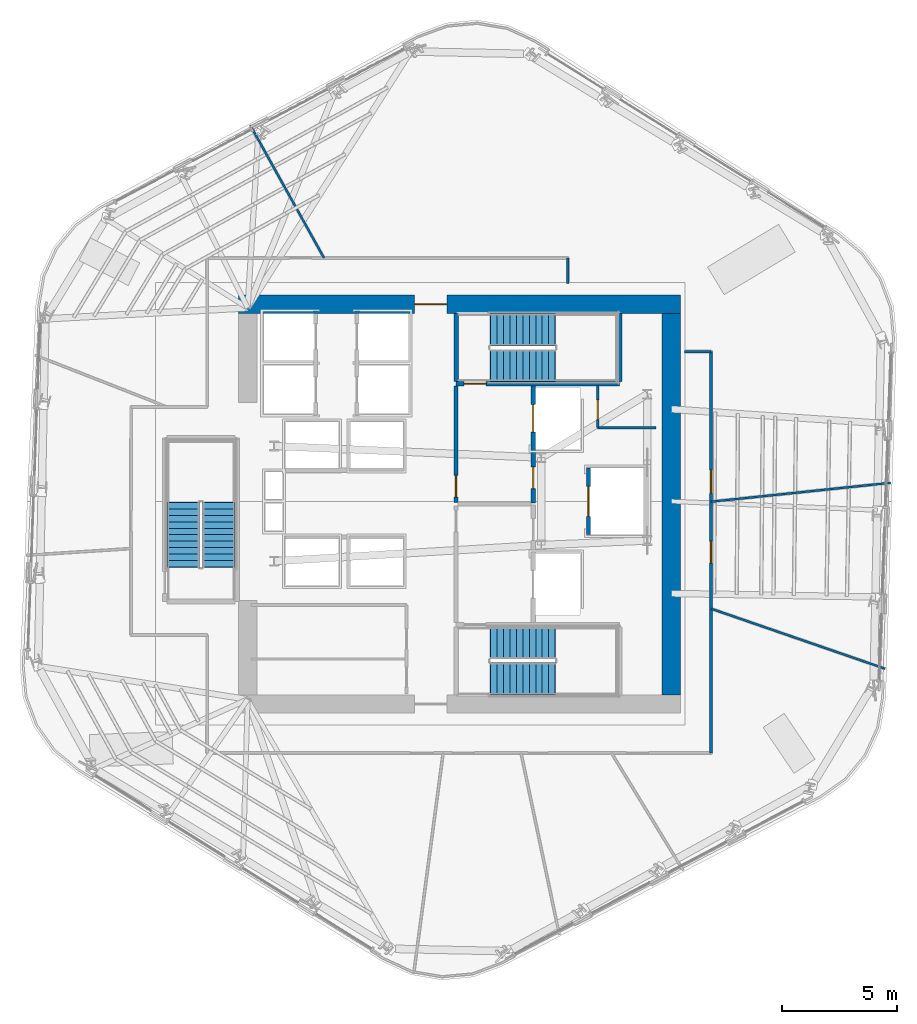
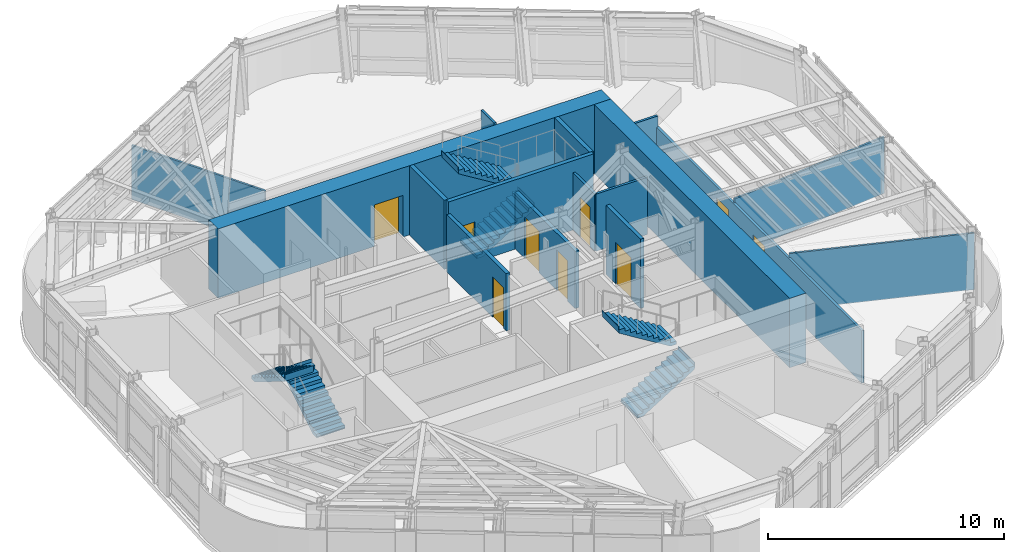
# One storey, part 8 of 14: 16 walls, 9 doors, 6 stair flights, 9 openings, 3 elements without a shape of their own.
"""IFC4 building model written with IfcOpenShell, lengths in metres."""

from ifc_helpers import new_model, si_unit, direction, frame, frame_2d, origin, place, context, subcontext, project, spatial, polyline, rectangle, outline, extrude, material, layer, layer_set, type_object, element, fill, aggregate, save


model = new_model("IFC4")

# Units and contexts
model_context = context("Model", 3, precision=1e-05, world=origin(), true_north=direction((0.0, 1.0)))
body_context = subcontext(model_context, "Body", "Model", "MODEL_VIEW")
ifc_project = project(units=[si_unit("LENGTHUNIT", "METRE"), si_unit("AREAUNIT", "SQUARE_METRE"), si_unit("VOLUMEUNIT", "CUBIC_METRE"), si_unit("PLANEANGLEUNIT", "RADIAN"), si_unit("MASSUNIT", "GRAM", prefix="KILO")], contexts=[model_context])

# Site, building, storey
site_placement = place(None, origin())
site = spatial("IfcSite", under=ifc_project, at=site_placement, CompositionType="ELEMENT")
building_placement = place(site_placement, origin())
building = spatial("IfcBuilding", under=site, at=building_placement, Name="Valkerne Bourse Tower", CompositionType="ELEMENT")
storey_placement = place(building_placement, frame((0.0, 0.0, 143.800048828125)))
storey = spatial("IfcBuildingStorey", under=building, at=storey_placement, Name="L36", CompositionType="ELEMENT", Elevation=143.800048828125)

# Wall, opening, door
ifc_material_1 = material(Name="Concrete C55/67", Category="concrete")
ifc_layer_1 = layer(ifc_material_1, 0.800048828125)
ifc_layer_set_1 = layer_set([ifc_layer_1], Name="Concrete C55/67")
wall_type_1 = type_object("IfcWallType", Name="W-CORE-800", PredefinedType="SHEAR", material=ifc_layer_set_1)
wall_1_placement = place(storey_placement, frame((37.199951171875, 35.550048828125, 0.0), z_axis=(0.0, 0.0, 1.0), x_axis=(1.0, 0.0, 0.0)))
wall_1 = element("IfcWall", 1, at=wall_1_placement, inside=storey, type_object=wall_type_1, Name="L36 Core Shear Wall NORTH", PredefinedType="SHEAR", context=body_context, shape_type="SweptSolid", body=[
    extrude(rectangle(XDim=19.199951171875, YDim=0.800048828125, at=frame_2d((9.60009765625, 0.0))), origin(), (0.0, 0.0, 1.0), 3.579833984375),
])
opening_1_placement = place(wall_1_placement, frame((7.64990234375, 0.0, 0.0)))
opening_1 = element("IfcOpeningElement", 2, at=opening_1_placement, cuts=wall_1, Name="Opening D-PL-1400", PredefinedType="OPENING", context=body_context, shape_type="SweptSolid", body=[
    extrude(rectangle(XDim=1.39990234375, YDim=2.14990234375, at=frame_2d((0.699951171875, 1.074951171875))), frame((0.0, 0.409912109375, 0.0), z_axis=(0.0, -1.0, 0.0), x_axis=(1.0, 0.0, 0.0)), (0.0, 0.0, 1.0), 0.820068359375),
])
ifc_material_2 = material(Name="Galvanised Painted Steel", Category="steel")
door_type_1 = type_object("IfcDoorType", Name="DR-PLT-1400", OperationType="DOUBLE_DOOR_SINGLE_SWING", PredefinedType="DOOR", material=ifc_material_2)
door_1_placement = place(opening_1_placement, origin())
door_1 = element("IfcDoor", 3, at=door_1_placement, inside=storey, type_object=door_type_1, Name="L36 North Passenger Lift Hall Fire Door", OperationType="DOUBLE_DOOR_SINGLE_SWING", OverallHeight=2.14990234375, OverallWidth=1.39990234375, PredefinedType="DOOR", context=body_context, shape_type="SweptSolid", body=[
    extrude(rectangle(XDim=1.39990234375, YDim=2.14990234375, at=frame_2d((0.699951171875, 1.074951171875))), frame((0.0, 0.02490234375, 0.0), z_axis=(0.0, -1.0, 0.0), x_axis=(1.0, 0.0, 0.0)), (0.0, 0.0, 1.0), 0.050048828125),
])
fill(opening_1, door_1)

# Wall
wall_2_placement = place(storey_placement, frame((56.0, 18.60009765625, 0.0), z_axis=(0.0, 0.0, 1.0), x_axis=(0.0, 1.0, 0.0)))
element("IfcWall", 4, at=wall_2_placement, inside=storey, type_object=wall_type_1, Name="L36 Core Shear Wall EAST", PredefinedType="SHEAR", context=body_context, shape_type="SweptSolid", body=[
    extrude(rectangle(XDim=16.5498046875, YDim=0.800048828125, at=frame_2d((8.27490234375, 0.0))), origin(), (0.0, 0.0, 1.0), 3.579833984375),
])

# Wall, opening, door
ifc_material_3 = material(Name="Gypsum Board Steel-Stud Partition", Category="steel")
ifc_layer_2 = layer(ifc_material_3, 0.117919921875)
ifc_layer_set_2 = layer_set([ifc_layer_2], Name="Gypsum Board Steel-Stud Partition")
wall_type_2 = type_object("IfcWallType", Name="W-CORR-140", PredefinedType="PARTITIONING", material=ifc_layer_set_2)
wall_3_placement = place(storey_placement, frame((52.800048828125, 30.199951171875, 0.0), z_axis=(0.0, 0.0, 1.0), x_axis=(0.0, 1.0, 0.0)))
wall_3 = element("IfcWall", 5, at=wall_3_placement, inside=storey, type_object=wall_type_2, Name="L36 Core NE Bay West Wall", PredefinedType="PARTITIONING", context=body_context, shape_type="SweptSolid", body=[
    extrude(rectangle(XDim=1.820068359375, YDim=0.117919921875, at=frame_2d((0.91015625, 0.0))), origin(), (0.0, 0.0, 1.0), 2.957763671875),
])
opening_2_placement = place(wall_3_placement, frame((0.35009765625, 0.0, 0.0)))
opening_2 = element("IfcOpeningElement", 6, at=opening_2_placement, cuts=wall_3, Name="Opening D-WC-900", PredefinedType="OPENING", context=body_context, shape_type="SweptSolid", body=[
    extrude(rectangle(XDim=0.860107421875, YDim=2.050048828125, at=frame_2d((0.43017578125, 1.02490234375))), frame((0.0, 0.06884765625, 0.0), z_axis=(0.0, -1.0, 0.0), x_axis=(1.0, 0.0, 0.0)), (0.0, 0.0, 1.0), 0.137939453125),
])
ifc_material_4 = material(Name="Architectural White Oak Timber", Category="wood")
door_type_2 = type_object("IfcDoorType", Name="DR-WC-900", OperationType="NOTDEFINED", PredefinedType="DOOR", material=ifc_material_4)
door_2_placement = place(opening_2_placement, origin())
door_2 = element("IfcDoor", 7, at=door_2_placement, inside=storey, type_object=door_type_2, Name="L36 Electrical Closet Door", OperationType="SINGLE_SWING_RIGHT", OverallHeight=2.050048828125, OverallWidth=0.860107421875, PredefinedType="DOOR", context=body_context, shape_type="SweptSolid", body=[
    extrude(rectangle(XDim=0.860107421875, YDim=2.050048828125, at=frame_2d((0.43017578125, 1.02490234375))), frame((0.0, 0.02490234375, 0.0), z_axis=(0.0, -1.0, 0.0), x_axis=(1.0, 0.0, 0.0)), (0.0, 0.0, 1.0), 0.050048828125),
])
fill(opening_2, door_2)

# Walls
wall_4_placement = place(storey_placement, frame((52.800048828125, 30.199951171875, 0.0), z_axis=(0.0, 0.0, 1.0), x_axis=(1.0, 0.0, 0.0)))
element("IfcWall", 8, at=wall_4_placement, inside=storey, type_object=wall_type_2, Name="L36 Core NE Bay South Wall", PredefinedType="PARTITIONING", context=body_context, shape_type="SweptSolid", body=[
    extrude(rectangle(XDim=2.52001953125, YDim=0.117919921875, at=frame_2d((1.260009765625, 0.0))), origin(), (0.0, 0.0, 1.0), 2.957763671875),
])
wall_5_placement = place(storey_placement, frame((51.5, 37.56005859375, 0.0), z_axis=(0.0, 0.0, 1.0), x_axis=(0.0, -1.0, 0.0)))
element("IfcWall", 9, at=wall_5_placement, inside=storey, type_object=wall_type_2, Name="L36 Corridor Enclosure Wall", PredefinedType="PARTITIONING", context=body_context, shape_type="SweptSolid", body=[
    extrude(rectangle(XDim=1.10009765625, YDim=0.117919921875, at=frame_2d((0.550048828125, 0.0))), origin(), (0.0, 0.0, 1.0), 3.280029296875),
])
wall_6_placement = place(storey_placement, frame((56.56005859375, 33.5, 0.0), z_axis=(0.0, 0.0, 1.0), x_axis=(1.0, 0.0, 0.0)))
element("IfcWall", 10, at=wall_6_placement, inside=storey, type_object=wall_type_2, Name="L36 Corridor Enclosure Wall", PredefinedType="PARTITIONING", context=body_context, shape_type="SweptSolid", body=[
    extrude(rectangle(XDim=1.159912109375, YDim=0.117919921875, at=frame_2d((0.580078125, 0.0))), origin(), (0.0, 0.0, 1.0), 3.280029296875),
])

# Wall, openings, doors
wall_7_placement = place(storey_placement, frame((57.719970703125, 33.5, 0.0), z_axis=(0.0, 0.0, 1.0), x_axis=(0.0, -1.0, 0.0)))
wall_7 = element("IfcWall", 11, at=wall_7_placement, inside=storey, type_object=wall_type_2, Name="L36 Corridor Enclosure Wall", PredefinedType="PARTITIONING", context=body_context, shape_type="SweptSolid", body=[
    extrude(rectangle(XDim=17.419921875, YDim=0.117919921875, at=frame_2d((8.7099609375, 0.0))), origin(), (0.0, 0.0, 1.0), 2.71142578125),
])
opening_3_placement = place(wall_7_placement, frame((8.235107421875, 0.0, 0.0)))
opening_3 = element("IfcOpeningElement", 12, at=opening_3_placement, cuts=wall_7, Name="Opening D-OF-950", PredefinedType="OPENING", context=body_context, shape_type="SweptSolid", body=[
    extrude(rectangle(XDim=0.949951171875, YDim=2.10009765625, at=frame_2d((0.47509765625, 1.050048828125))), frame((0.0, 0.06884765625, 0.0), z_axis=(0.0, -1.0, 0.0), x_axis=(1.0, 0.0, 0.0)), (0.0, 0.0, 1.0), 0.137939453125),
])
opening_4_placement = place(wall_7_placement, frame((5.14990234375, 0.0, 0.0)))
opening_4 = element("IfcOpeningElement", 13, at=opening_4_placement, cuts=wall_7, Name="Opening D-MG-1000", PredefinedType="OPENING", context=body_context, shape_type="SweptSolid", body=[
    extrude(rectangle(XDim=1.0, YDim=2.14990234375, at=frame_2d((0.5, 1.074951171875))), frame((0.0, 0.06884765625, 0.0), z_axis=(0.0, -1.0, 0.0), x_axis=(1.0, 0.0, 0.0)), (0.0, 0.0, 1.0), 0.137939453125),
])
ifc_material_5 = material(Name="Laminated Tempered Safety Glass", Category="glass")
door_type_3 = type_object("IfcDoorType", Name="DR-MTG-1000", OperationType="NOTDEFINED", PredefinedType="DOOR", material=ifc_material_5)
door_3_placement = place(opening_4_placement, origin())
door_3 = element("IfcDoor", 14, at=door_3_placement, inside=storey, type_object=door_type_3, Name="L36 L36 Client Strategy Conference Room 8 Door", OperationType="SINGLE_SWING_LEFT", OverallHeight=2.14990234375, OverallWidth=1.0, PredefinedType="DOOR", context=body_context, shape_type="SweptSolid", body=[
    extrude(rectangle(XDim=1.0, YDim=2.14990234375, at=frame_2d((0.5, 1.074951171875))), frame((0.0, 0.02490234375, 0.0), z_axis=(0.0, -1.0, 0.0), x_axis=(1.0, 0.0, 0.0)), (0.0, 0.0, 1.0), 0.050048828125),
])
fill(opening_4, door_3)
door_type_4 = type_object("IfcDoorType", Name="DR-OFF-950", OperationType="NOTDEFINED", PredefinedType="DOOR", material=ifc_material_4)
door_4_placement = place(opening_3_placement, origin())
door_4 = element("IfcDoor", 15, at=door_4_placement, inside=storey, type_object=door_type_4, Name="L36 L36 Occupational Wellness Clinic 4 Door", OperationType="SINGLE_SWING_LEFT", OverallHeight=2.10009765625, OverallWidth=0.949951171875, PredefinedType="DOOR", context=body_context, shape_type="SweptSolid", body=[
    extrude(rectangle(XDim=0.949951171875, YDim=2.10009765625, at=frame_2d((0.47509765625, 1.050048828125))), frame((0.0, 0.02490234375, 0.0), z_axis=(0.0, -1.0, 0.0), x_axis=(1.0, 0.0, 0.0)), (0.0, 0.0, 1.0), 0.050048828125),
])
fill(opening_3, door_4)

# Wall, opening, door
ifc_material_6 = material(Name="Gypsum Fire-Rated Shaftwall", Category="gypsum")
ifc_layer_3 = layer(ifc_material_6, 0.179931640625)
ifc_layer_set_3 = layer_set([ifc_layer_3], Name="Gypsum Fire-Rated Shaftwall")
wall_type_3 = type_object("IfcWallType", Name="W-FSAE-180", PredefinedType="PARTITIONING", material=ifc_layer_set_3)
wall_8_placement = place(storey_placement, frame((46.64990234375, 26.9599609375, 0.0), z_axis=(0.0, 0.0, 1.0), x_axis=(0.0, 1.0, 0.0)))
wall_8 = element("IfcWall", 16, at=wall_8_placement, inside=storey, type_object=wall_type_3, Name="L36 FSAE-2 Lobby West Fire Wall", PredefinedType="PARTITIONING", context=body_context, shape_type="SweptSolid", body=[
    extrude(rectangle(XDim=5.0400390625, YDim=0.179931640625, at=frame_2d((2.52001953125, 0.0))), origin(), (0.0, 0.0, 1.0), 2.957763671875),
])
opening_5_placement = place(wall_8_placement, frame((0.219970703125, 0.0, 0.0)))
opening_5 = element("IfcOpeningElement", 17, at=opening_5_placement, cuts=wall_8, Name="Opening D-FS-950", PredefinedType="OPENING", context=body_context, shape_type="SweptSolid", body=[
    extrude(rectangle(XDim=0.949951171875, YDim=2.10009765625, at=frame_2d((0.47509765625, 1.050048828125))), frame((0.0, 0.099853515625, 0.0), z_axis=(0.0, -1.0, 0.0), x_axis=(1.0, 0.0, 0.0)), (0.0, 0.0, 1.0), 0.199951171875),
])
door_type_5 = type_object("IfcDoorType", Name="DR-FSAE-950", OperationType="NOTDEFINED", PredefinedType="DOOR", material=ifc_material_2)
door_5_placement = place(opening_5_placement, origin())
door_5 = element("IfcDoor", 18, at=door_5_placement, inside=storey, type_object=door_type_5, Name="L36 FSAE-2 Hall Link Fire Door", OperationType="SINGLE_SWING_RIGHT", OverallHeight=2.10009765625, OverallWidth=0.949951171875, PredefinedType="DOOR", context=body_context, shape_type="SweptSolid", body=[
    extrude(rectangle(XDim=0.949951171875, YDim=2.10009765625, at=frame_2d((0.47509765625, 1.050048828125))), frame((0.0, 0.02490234375, 0.0), z_axis=(0.0, -1.0, 0.0), x_axis=(1.0, 0.0, 0.0)), (0.0, 0.0, 1.0), 0.050048828125),
])
fill(opening_5, door_5)

# Wall, openings, doors
wall_9_placement = place(storey_placement, frame((50.0, 26.919921875, 0.0), z_axis=(0.0, 0.0, 1.0), x_axis=(0.0, 1.0, 0.0)))
wall_9 = element("IfcWall", 19, at=wall_9_placement, inside=storey, type_object=wall_type_3, Name="L36 FSAE-2 Lobby & Shaft Front Wall", PredefinedType="PARTITIONING", context=body_context, shape_type="SweptSolid", body=[
    extrude(rectangle(XDim=5.080078125, YDim=0.179931640625, at=frame_2d((2.5400390625, 0.0))), origin(), (0.0, 0.0, 1.0), 2.957763671875),
])
opening_6_placement = place(wall_9_placement, frame((3.080078125, 0.0, 0.0)))
opening_6 = element("IfcOpeningElement", 20, at=opening_6_placement, cuts=wall_9, Name="Opening LD-1200", PredefinedType="OPENING", context=body_context, shape_type="SweptSolid", body=[
    extrude(rectangle(XDim=1.199951171875, YDim=2.14990234375, at=frame_2d((0.60009765625, 1.074951171875))), frame((0.0, 0.099853515625, 0.0), z_axis=(0.0, -1.0, 0.0), x_axis=(1.0, 0.0, 0.0)), (0.0, 0.0, 1.0), 0.199951171875),
])
opening_7_placement = place(wall_9_placement, frame((0.6298828125, 0.0, 0.0)))
opening_7 = element("IfcOpeningElement", 21, at=opening_7_placement, cuts=wall_9, Name="Opening D-FS-950", PredefinedType="OPENING", context=body_context, shape_type="SweptSolid", body=[
    extrude(rectangle(XDim=0.949951171875, YDim=2.10009765625, at=frame_2d((0.47509765625, 1.050048828125))), frame((0.0, 0.099853515625, 0.0), z_axis=(0.0, -1.0, 0.0), x_axis=(1.0, 0.0, 0.0)), (0.0, 0.0, 1.0), 0.199951171875),
])
door_6_placement = place(opening_7_placement, origin())
door_6 = element("IfcDoor", 22, at=door_6_placement, inside=storey, type_object=door_type_5, Name="L36 FSAE-2 Lobby Corridor Fire Door", OperationType="SINGLE_SWING_RIGHT", OverallHeight=2.10009765625, OverallWidth=0.949951171875, PredefinedType="DOOR", context=body_context, shape_type="SweptSolid", body=[
    extrude(rectangle(XDim=0.949951171875, YDim=2.10009765625, at=frame_2d((0.47509765625, 1.050048828125))), frame((0.0, 0.02490234375, 0.0), z_axis=(0.0, -1.0, 0.0), x_axis=(1.0, 0.0, 0.0)), (0.0, 0.0, 1.0), 0.050048828125),
])
fill(opening_7, door_6)
ifc_material_7 = material(Name="Stainless Steel AISI 316", Category="steel")
door_type_6 = type_object("IfcDoorType", Name="DR-LIFT-1200", OperationType="DOUBLE_DOOR_SLIDING", PredefinedType="DOOR", material=ifc_material_7)
door_7_placement = place(opening_6_placement, origin())
door_7 = element("IfcDoor", 23, at=door_7_placement, inside=storey, type_object=door_type_6, Name="L36 FSAE-2 Firefighting Lift Landing Door", OperationType="DOUBLE_DOOR_SLIDING", OverallHeight=2.14990234375, OverallWidth=1.199951171875, PredefinedType="DOOR", context=body_context, shape_type="SweptSolid", body=[
    extrude(rectangle(XDim=1.199951171875, YDim=2.14990234375, at=frame_2d((0.60009765625, 1.074951171875))), frame((0.0, 0.02490234375, 0.0), z_axis=(0.0, -1.0, 0.0), x_axis=(1.0, 0.0, 0.0)), (0.0, 0.0, 1.0), 0.050048828125),
])
fill(opening_6, door_7)

# Wall, opening, door
ifc_material_8 = material(Name="CMU Blockwork Masonry 200mm", Category="masonry")
ifc_layer_4 = layer(ifc_material_8, 0.179931640625)
ifc_layer_set_4 = layer_set([ifc_layer_4], Name="CMU Blockwork Masonry 200mm")
wall_type_4 = type_object("IfcWallType", Name="W-LFT-180", PredefinedType="SOLIDWALL", material=ifc_layer_set_4)
wall_10_placement = place(storey_placement, frame((52.39990234375, 25.550048828125, 0.0), z_axis=(0.0, 0.0, 1.0), x_axis=(0.0, 1.0, 0.0)))
wall_10 = element("IfcWall", 24, at=wall_10_placement, inside=storey, type_object=wall_type_4, Name="L36 Service Lift SV-1 Front Wall", PredefinedType="SOLIDWALL", context=body_context, shape_type="SweptSolid", body=[
    extrude(rectangle(XDim=2.89990234375, YDim=0.179931640625, at=frame_2d((1.449951171875, 0.0))), origin(), (0.0, 0.0, 1.0), 3.579833984375),
])
opening_8_placement = place(wall_10_placement, frame((0.800048828125, 0.0, 0.0)))
opening_8 = element("IfcOpeningElement", 25, at=opening_8_placement, cuts=wall_10, Name="Opening LD-1300", PredefinedType="OPENING", context=body_context, shape_type="SweptSolid", body=[
    extrude(rectangle(XDim=1.300048828125, YDim=2.14990234375, at=frame_2d((0.64990234375, 1.074951171875))), frame((0.0, 0.099853515625, 0.0), z_axis=(0.0, -1.0, 0.0), x_axis=(1.0, 0.0, 0.0)), (0.0, 0.0, 1.0), 0.199951171875),
])
door_type_7 = type_object("IfcDoorType", Name="DR-LIFT-1300", OperationType="DOUBLE_DOOR_SLIDING", PredefinedType="DOOR", material=ifc_material_7)
door_8_placement = place(opening_8_placement, origin())
door_8 = element("IfcDoor", 26, at=door_8_placement, inside=storey, type_object=door_type_7, Name="L36 Service Lift SV-1 Landing Door", OperationType="DOUBLE_DOOR_SLIDING", OverallHeight=2.14990234375, OverallWidth=1.300048828125, PredefinedType="DOOR", context=body_context, shape_type="SweptSolid", body=[
    extrude(rectangle(XDim=1.300048828125, YDim=2.14990234375, at=frame_2d((0.64990234375, 1.074951171875))), frame((0.0, 0.02490234375, 0.0), z_axis=(0.0, -1.0, 0.0), x_axis=(1.0, 0.0, 0.0)), (0.0, 0.0, 1.0), 0.050048828125),
])
fill(opening_8, door_8)

# Walls
ifc_layer_5 = layer(ifc_material_3, 0.092041015625)
ifc_layer_set_5 = layer_set([ifc_layer_5], Name="Gypsum Board Steel-Stud Partition")
wall_type_5 = type_object("IfcWallType", Name="W-PART-115", PredefinedType="PARTITIONING", material=ifc_layer_set_5)
wall_11_placement = place(storey_placement, frame((57.72509765625, 22.338623046875, 0.0), z_axis=(0.0, 0.0, 1.0), x_axis=(0.945352188756, -0.326050976403, 0.0)))
element("IfcWall", 27, at=wall_11_placement, inside=storey, type_object=wall_type_5, Name="L36 Suite Partition P04", PredefinedType="PARTITIONING", context=body_context, shape_type="SweptSolid", body=[
    extrude(rectangle(XDim=7.986572265625, YDim=0.092041015625, at=frame_2d((3.9931640625, 0.0))), origin(), (0.0, 0.0, 1.0), 2.92236328125),
])
wall_12_placement = place(storey_placement, frame((57.72509765625, 26.98583984375, 0.0), z_axis=(0.0, 0.0, 1.0), x_axis=(0.994512961341, 0.104613429947, 0.0)))
element("IfcWall", 28, at=wall_12_placement, inside=storey, type_object=wall_type_5, Name="L36 Suite Partition P05", PredefinedType="PARTITIONING", context=body_context, shape_type="SweptSolid", body=[
    extrude(rectangle(XDim=7.836669921875, YDim=0.092041015625, at=frame_2d((3.91845703125, 0.0))), origin(), (0.0, 0.0, 1.0), 2.92236328125),
])
wall_13_placement = place(storey_placement, frame((40.91796875, 37.56494140625, 0.0), z_axis=(0.0, 0.0, 1.0), x_axis=(-0.485727780527, 0.874110132205, 0.0)))
element("IfcWall", 29, at=wall_13_placement, inside=storey, type_object=wall_type_5, Name="L36 Suite Partition P06", PredefinedType="PARTITIONING", context=body_context, shape_type="SweptSolid", body=[
    extrude(rectangle(XDim=6.595947265625, YDim=0.092041015625, at=frame_2d((3.2978515625, 0.0))), origin(), (0.0, 0.0, 1.0), 2.80029296875),
])

# Wall, opening, door
ifc_material_9 = material(Name="Concrete C40/50", Category="concrete")
ifc_layer_6 = layer(ifc_material_9, 0.199951171875)
ifc_layer_set_6 = layer_set([ifc_layer_6], Name="Concrete C40/50")
wall_type_6 = type_object("IfcWallType", Name="W-SHF-200", PredefinedType="SHEAR", material=ifc_layer_set_6)
wall_14_placement = place(storey_placement, frame((46.64990234375, 32.10009765625, 0.0), z_axis=(0.0, 0.0, 1.0), x_axis=(1.0, 0.0, 0.0)))
wall_14 = element("IfcWall", 30, at=wall_14_placement, inside=storey, type_object=wall_type_6, Name="L36 Exit Stair ST-2 Structural Shaft Wall South", PredefinedType="SHEAR", context=body_context, shape_type="SweptSolid", body=[
    extrude(rectangle(XDim=7.10009765625, YDim=0.199951171875, at=frame_2d((3.550048828125, 0.0))), origin(), (0.0, 0.0, 1.0), 3.579833984375),
])
opening_9_placement = place(wall_14_placement, frame((0.35009765625, 0.0, 0.0)))
opening_9 = element("IfcOpeningElement", 31, at=opening_9_placement, cuts=wall_14, Name="Opening D-ST-950", PredefinedType="OPENING", context=body_context, shape_type="SweptSolid", body=[
    extrude(rectangle(XDim=0.949951171875, YDim=2.10009765625, at=frame_2d((0.47509765625, 1.050048828125))), frame((0.0, 0.10986328125, 0.0), z_axis=(0.0, -1.0, 0.0), x_axis=(1.0, 0.0, 0.0)), (0.0, 0.0, 1.0), 0.219970703125),
])
door_type_8 = type_object("IfcDoorType", Name="DR-STAIR-950", OperationType="NOTDEFINED", PredefinedType="DOOR", material=ifc_material_2)
door_9_placement = place(opening_9_placement, origin())
door_9 = element("IfcDoor", 32, at=door_9_placement, inside=storey, type_object=door_type_8, Name="L36 Exit Stair ST-2 Door", OperationType="SINGLE_SWING_LEFT", OverallHeight=2.10009765625, OverallWidth=0.949951171875, PredefinedType="DOOR", context=body_context, shape_type="SweptSolid", body=[
    extrude(rectangle(XDim=0.949951171875, YDim=2.10009765625, at=frame_2d((0.47509765625, 1.050048828125))), frame((0.0, 0.02490234375, 0.0), z_axis=(0.0, -1.0, 0.0), x_axis=(1.0, 0.0, 0.0)), (0.0, 0.0, 1.0), 0.050048828125),
])
fill(opening_9, door_9)

# Walls
for number, where, z_axis, x_axis, name in (
    (33, (46.64990234375, 32.199951171875, 0.0), (0.0, 0.0, 1.0), (0.0, 1.0, 0.0), "L36 Exit Stair ST-2 Structural Shaft Wall West"),
    (34, (53.75, 32.199951171875, 0.0), (0.0, 0.0, 1.0), (0.0, 1.0, 0.0), "L36 Exit Stair ST-2 Structural Shaft Wall East"),
):
    element("IfcWall", number, at=place(storey_placement, frame(where, z_axis=z_axis, x_axis=x_axis)), inside=storey, type_object=wall_type_6, Name=name, PredefinedType="SHEAR", context=body_context, shape_type="SweptSolid", body=[
        extrude(rectangle(XDim=2.949951171875, YDim=0.199951171875, at=frame_2d((1.47509765625, 0.0))), origin(), (0.0, 0.0, 1.0), 3.579833984375),
    ])

# Stair, stair flights
stair_type = type_object("IfcStairType", Name="ST-CORE-1400", PredefinedType="HALF_TURN_STAIR", material=ifc_material_9)
stair_1_placement = place(storey_placement, origin())
stair_1 = element("IfcStair", 35, at=stair_1_placement, inside=storey, type_object=stair_type, Name="L36 ST-1", PredefinedType="HALF_TURN_STAIR")
stair_flight_type = type_object("IfcStairFlightType", Name="STF-CORE-1400", PredefinedType="STRAIGHT", material=ifc_material_9)
stair_flight_1_placement = place(storey_placement, frame((48.14990234375, 19.300048828125, 0.0), z_axis=(0.0, 0.0, 1.0), x_axis=(1.0, 0.0, 0.0)))
stair_flight_1 = element("IfcStairFlight", 36, at=stair_flight_1_placement, type_object=stair_flight_type, Name="ST-1 flight 1", NumberOfRisers=11, NumberOfTreads=10, PredefinedType="STRAIGHT", RiserHeight=0.172727273, TreadLength=0.28, context=body_context, shape_type="SweptSolid", body=[
    extrude(outline(polyline([(-0.02001953125, 0.0), (-0.02001953125, 0.044921875), (0.0, 0.044921875), (0.0, 0.172607421875), (0.280029296875, 0.172607421875), (0.280029296875, 0.345458984375), (0.56005859375, 0.345458984375), (0.56005859375, 0.51806640625), (0.840087890625, 0.51806640625), (0.840087890625, 0.69091796875), (1.1201171875, 0.69091796875), (1.1201171875, 0.863525390625), (1.39990234375, 0.863525390625), (1.39990234375, 1.036376953125), (1.679931640625, 1.036376953125), (1.679931640625, 1.208984375), (1.9599609375, 1.208984375), (1.9599609375, 1.3818359375), (2.239990234375, 1.3818359375), (2.239990234375, 1.554443359375), (2.52001953125, 1.554443359375), (2.52001953125, 1.727294921875), (2.800048828125, 1.727294921875), (2.800048828125, 1.89990234375), (2.820068359375, 1.89990234375), (2.820068359375, 1.780029296875), (2.800048828125, 1.551025390625), (0.285400390625, 0.0), (-0.02001953125, 0.0)])), frame((0.0, 0.699951171875, 0.0), z_axis=(0.0, -1.0, 0.0), x_axis=(1.0, 0.0, 0.0)), (0.0, 0.0, 1.0), 1.39990234375),
])
stair_flight_2_placement = place(storey_placement, frame((50.949951171875, 20.85009765625, 1.89990234375), z_axis=(0.0, 0.0, 1.0), x_axis=(-1.0, 0.0, 0.0)))
stair_flight_2 = element("IfcStairFlight", 37, at=stair_flight_2_placement, type_object=stair_flight_type, Name="ST-1 flight 2", NumberOfRisers=11, NumberOfTreads=10, PredefinedType="STRAIGHT", RiserHeight=0.172727273, TreadLength=0.28, context=body_context, shape_type="SweptSolid", body=[
    extrude(outline(polyline([(-0.02001953125, 0.0), (-0.02001953125, 0.044921875), (0.0, 0.044921875), (0.0, 0.172607421875), (0.280029296875, 0.172607421875), (0.280029296875, 0.345458984375), (0.56005859375, 0.345458984375), (0.56005859375, 0.51806640625), (0.840087890625, 0.51806640625), (0.840087890625, 0.69091796875), (1.1201171875, 0.69091796875), (1.1201171875, 0.863525390625), (1.39990234375, 0.863525390625), (1.39990234375, 1.036376953125), (1.679931640625, 1.036376953125), (1.679931640625, 1.208984375), (1.9599609375, 1.208984375), (1.9599609375, 1.3818359375), (2.239990234375, 1.3818359375), (2.239990234375, 1.554443359375), (2.52001953125, 1.554443359375), (2.52001953125, 1.727294921875), (2.800048828125, 1.727294921875), (2.800048828125, 1.89990234375), (2.820068359375, 1.89990234375), (2.820068359375, 1.780029296875), (2.800048828125, 1.551025390625), (0.285400390625, 0.0), (-0.02001953125, 0.0)])), frame((0.0, 0.699951171875, 0.0), z_axis=(0.0, -1.0, 0.0), x_axis=(1.0, 0.0, 0.0)), (0.0, 0.0, 1.0), 1.39990234375),
])
aggregate(stair_1, [stair_flight_1, stair_flight_2])

stair_2_placement = place(storey_placement, origin())
stair_2 = element("IfcStair", 38, at=stair_2_placement, inside=storey, type_object=stair_type, Name="L36 ST-2", PredefinedType="HALF_TURN_STAIR")
stair_flight_3_placement = place(storey_placement, frame((48.14990234375, 32.89990234375, 0.0), z_axis=(0.0, 0.0, 1.0), x_axis=(1.0, 0.0, 0.0)))
stair_flight_3 = element("IfcStairFlight", 39, at=stair_flight_3_placement, type_object=stair_flight_type, Name="ST-2 flight 1", NumberOfRisers=11, NumberOfTreads=10, PredefinedType="STRAIGHT", RiserHeight=0.172727273, TreadLength=0.28, context=body_context, shape_type="SweptSolid", body=[
    extrude(outline(polyline([(-0.02001953125, 0.0), (-0.02001953125, 0.044921875), (0.0, 0.044921875), (0.0, 0.172607421875), (0.280029296875, 0.172607421875), (0.280029296875, 0.345458984375), (0.56005859375, 0.345458984375), (0.56005859375, 0.51806640625), (0.840087890625, 0.51806640625), (0.840087890625, 0.69091796875), (1.1201171875, 0.69091796875), (1.1201171875, 0.863525390625), (1.39990234375, 0.863525390625), (1.39990234375, 1.036376953125), (1.679931640625, 1.036376953125), (1.679931640625, 1.208984375), (1.9599609375, 1.208984375), (1.9599609375, 1.3818359375), (2.239990234375, 1.3818359375), (2.239990234375, 1.554443359375), (2.52001953125, 1.554443359375), (2.52001953125, 1.727294921875), (2.800048828125, 1.727294921875), (2.800048828125, 1.89990234375), (2.820068359375, 1.89990234375), (2.820068359375, 1.780029296875), (2.800048828125, 1.551025390625), (0.285400390625, 0.0), (-0.02001953125, 0.0)])), frame((0.0, 0.699951171875, 0.0), z_axis=(0.0, -1.0, 0.0), x_axis=(1.0, 0.0, 0.0)), (0.0, 0.0, 1.0), 1.39990234375),
])
stair_flight_4_placement = place(storey_placement, frame((50.949951171875, 34.449951171875, 1.89990234375), z_axis=(0.0, 0.0, 1.0), x_axis=(-1.0, 0.0, 0.0)))
stair_flight_4 = element("IfcStairFlight", 40, at=stair_flight_4_placement, type_object=stair_flight_type, Name="ST-2 flight 2", NumberOfRisers=11, NumberOfTreads=10, PredefinedType="STRAIGHT", RiserHeight=0.172727273, TreadLength=0.28, context=body_context, shape_type="SweptSolid", body=[
    extrude(outline(polyline([(-0.02001953125, 0.0), (-0.02001953125, 0.044921875), (0.0, 0.044921875), (0.0, 0.172607421875), (0.280029296875, 0.172607421875), (0.280029296875, 0.345458984375), (0.56005859375, 0.345458984375), (0.56005859375, 0.51806640625), (0.840087890625, 0.51806640625), (0.840087890625, 0.69091796875), (1.1201171875, 0.69091796875), (1.1201171875, 0.863525390625), (1.39990234375, 0.863525390625), (1.39990234375, 1.036376953125), (1.679931640625, 1.036376953125), (1.679931640625, 1.208984375), (1.9599609375, 1.208984375), (1.9599609375, 1.3818359375), (2.239990234375, 1.3818359375), (2.239990234375, 1.554443359375), (2.52001953125, 1.554443359375), (2.52001953125, 1.727294921875), (2.800048828125, 1.727294921875), (2.800048828125, 1.89990234375), (2.820068359375, 1.89990234375), (2.820068359375, 1.780029296875), (2.800048828125, 1.551025390625), (0.285400390625, 0.0), (-0.02001953125, 0.0)])), frame((0.0, 0.699951171875, 0.0), z_axis=(0.0, -1.0, 0.0), x_axis=(1.0, 0.0, 0.0)), (0.0, 0.0, 1.0), 1.39990234375),
])
aggregate(stair_2, [stair_flight_3, stair_flight_4])

stair_3_placement = place(storey_placement, origin())
stair_3 = element("IfcStair", 41, at=stair_3_placement, inside=storey, type_object=stair_type, Name="L36 ST-3", PredefinedType="HALF_TURN_STAIR")
stair_flight_5_placement = place(storey_placement, frame((36.35009765625, 24.14990234375, 0.0), z_axis=(0.0, 0.0, 1.0), x_axis=(0.0, 1.0, 0.0)))
stair_flight_5 = element("IfcStairFlight", 42, at=stair_flight_5_placement, type_object=stair_flight_type, Name="ST-3 flight 1", NumberOfRisers=11, NumberOfTreads=10, PredefinedType="STRAIGHT", RiserHeight=0.172727273, TreadLength=0.28, context=body_context, shape_type="SweptSolid", body=[
    extrude(outline(polyline([(-0.02001953125, 0.0), (-0.02001953125, 0.044921875), (0.0, 0.044921875), (0.0, 0.172607421875), (0.280029296875, 0.172607421875), (0.280029296875, 0.345458984375), (0.56005859375, 0.345458984375), (0.56005859375, 0.51806640625), (0.840087890625, 0.51806640625), (0.840087890625, 0.69091796875), (1.1201171875, 0.69091796875), (1.1201171875, 0.863525390625), (1.39990234375, 0.863525390625), (1.39990234375, 1.036376953125), (1.679931640625, 1.036376953125), (1.679931640625, 1.208984375), (1.9599609375, 1.208984375), (1.9599609375, 1.3818359375), (2.239990234375, 1.3818359375), (2.239990234375, 1.554443359375), (2.52001953125, 1.554443359375), (2.52001953125, 1.727294921875), (2.800048828125, 1.727294921875), (2.800048828125, 1.89990234375), (2.820068359375, 1.89990234375), (2.820068359375, 1.780029296875), (2.800048828125, 1.551025390625), (0.285400390625, 0.0), (-0.02001953125, 0.0)])), frame((0.0, 0.699951171875, 0.0), z_axis=(0.0, -1.0, 0.0), x_axis=(1.0, 0.0, 0.0)), (0.0, 0.0, 1.0), 1.39990234375),
])
stair_flight_6_placement = place(storey_placement, frame((34.800048828125, 26.949951171875, 1.89990234375), z_axis=(0.0, 0.0, 1.0), x_axis=(0.0, -1.0, 0.0)))
stair_flight_6 = element("IfcStairFlight", 43, at=stair_flight_6_placement, type_object=stair_flight_type, Name="ST-3 flight 2", NumberOfRisers=11, NumberOfTreads=10, PredefinedType="STRAIGHT", RiserHeight=0.172727273, TreadLength=0.28, context=body_context, shape_type="SweptSolid", body=[
    extrude(outline(polyline([(-0.02001953125, 0.0), (-0.02001953125, 0.044921875), (0.0, 0.044921875), (0.0, 0.172607421875), (0.280029296875, 0.172607421875), (0.280029296875, 0.345458984375), (0.56005859375, 0.345458984375), (0.56005859375, 0.51806640625), (0.840087890625, 0.51806640625), (0.840087890625, 0.69091796875), (1.1201171875, 0.69091796875), (1.1201171875, 0.863525390625), (1.39990234375, 0.863525390625), (1.39990234375, 1.036376953125), (1.679931640625, 1.036376953125), (1.679931640625, 1.208984375), (1.9599609375, 1.208984375), (1.9599609375, 1.3818359375), (2.239990234375, 1.3818359375), (2.239990234375, 1.554443359375), (2.52001953125, 1.554443359375), (2.52001953125, 1.727294921875), (2.800048828125, 1.727294921875), (2.800048828125, 1.89990234375), (2.820068359375, 1.89990234375), (2.820068359375, 1.780029296875), (2.800048828125, 1.551025390625), (0.285400390625, 0.0), (-0.02001953125, 0.0)])), frame((0.0, 0.699951171875, 0.0), z_axis=(0.0, -1.0, 0.0), x_axis=(1.0, 0.0, 0.0)), (0.0, 0.0, 1.0), 1.39990234375),
])
aggregate(stair_3, [stair_flight_5, stair_flight_6])

save(model, "model.ifc")
